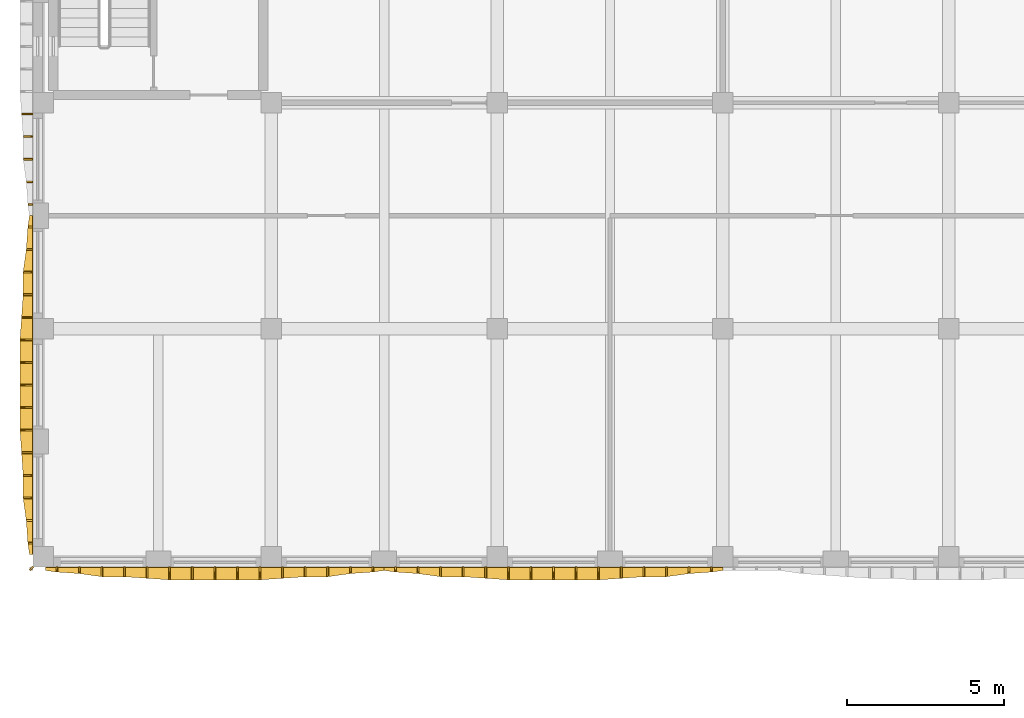
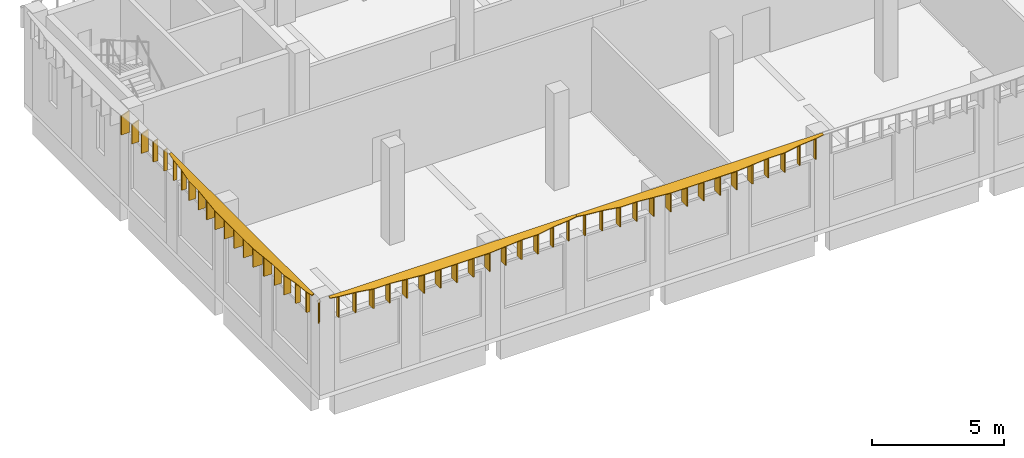
# One storey, part 37 of 54: 54 shading devices.
"""IFC4 building model written with IfcOpenShell, lengths in metres."""

from ifc_helpers import new_model, si_unit, direction, frame, origin, place, context, subcontext, project, spatial, polyline, outline, extrude, material, layer, layer_set, type_object, element, save


model = new_model("IFC4")

# Units and contexts
model_context = context("Model", 3, precision=1e-05, world=origin(), true_north=direction((0.0, 1.0)))
body_context = subcontext(model_context, "Body", "Model", "MODEL_VIEW")
ifc_project = project(units=[si_unit("LENGTHUNIT", "METRE"), si_unit("AREAUNIT", "SQUARE_METRE"), si_unit("VOLUMEUNIT", "CUBIC_METRE"), si_unit("PLANEANGLEUNIT", "RADIAN"), si_unit("MASSUNIT", "GRAM", prefix="KILO")], contexts=[model_context])

# Site, building, storey
site_placement = place(None, origin())
site = spatial("IfcSite", under=ifc_project, at=site_placement, CompositionType="ELEMENT")
building_placement = place(site_placement, origin())
building = spatial("IfcBuilding", under=site, at=building_placement, Name="Ussher Court Research Institute", CompositionType="ELEMENT")
storey_placement = place(building_placement, frame((0.0, 0.0, 14.39990234375)))
storey = spatial("IfcBuildingStorey", under=building, at=storey_placement, Name="L03", CompositionType="ELEMENT", Elevation=14.39990234375)

# Shading devices
ifc_material_1 = material(Name="Bronze anodised aluminium", Category="aluminium")
ifc_layer_1 = layer(ifc_material_1, 0.050048828125)
ifc_layer_set_1 = layer_set([ifc_layer_1], Name="Bronze anodised aluminium")
shading_device_type_1 = type_object("IfcShadingDeviceType", Name="Brim blade 150 mm deep 1000 mm high canted 20 deg dry", PredefinedType="USERDEFINED", material=ifc_layer_set_1)
for number, where, z_axis, x_axis, name in (
    (1, (24.239990234375, 68.39990234375, 3.4501953125), (0.0, 0.0, 1.0), (0.0, -1.0, 0.0), "Brim blade BS16 L03"),
    (2, (14.159912109375, 68.39990234375, 3.4501953125), (0.0, 0.0, 1.0), (0.0, -1.0, 0.0), "Brim blade BS16 L03"),
    (3, (13.43994140625, 68.39990234375, 3.4501953125), (0.0, 0.0, 1.0), (0.0, -1.0, 0.0), "Brim blade BS16 L03"),
    (4, (3.360107421875, 68.39990234375, 3.4501953125), (0.0, 0.0, 1.0), (0.0, -1.0, 0.0), "Brim blade BS16 L03"),
):
    element("IfcShadingDevice", number, at=place(storey_placement, frame(where, z_axis=z_axis, x_axis=x_axis)), inside=storey, type_object=shading_device_type_1, Name=name, ObjectType="BLADE", PredefinedType="USERDEFINED", context=body_context, shape_type="SweptSolid", body=[
        extrude(outline(polyline([(0.0, 0.0), (0.14990234375, 0.0), (0.14990234375, 0.9453125), (0.0, 1.0), (0.0, 0.0)])), frame((0.0, 0.02490234375, 0.0), z_axis=(0.0, -1.0, 0.0), x_axis=(1.0, 0.0, 0.0)), (0.0, 0.0, 1.0), 0.050048828125),
    ])
for number, where, z_axis, x_axis, name in (
    (5, (2.60009765625, 69.159912109375, 3.4501953125), (0.0, 0.0, 1.0), (-1.0, 0.0, 0.0), "Brim blade BS16 L03"),
    (6, (2.60009765625, 79.239990234375, 3.4501953125), (0.0, 0.0, 1.0), (-1.0, 0.0, 0.0), "Brim blade BS16 L03"),
    (7, (2.60009765625, 79.9599609375, 3.4501953125), (0.0, 0.0, 1.0), (-1.0, 0.0, 0.0), "Brim blade BS16 L03"),
):
    element("IfcShadingDevice", number, at=place(storey_placement, frame(where, z_axis=z_axis, x_axis=x_axis)), inside=storey, type_object=shading_device_type_1, Name=name, ObjectType="BLADE", PredefinedType="USERDEFINED", context=body_context, shape_type="SweptSolid", body=[
        extrude(outline(polyline([(0.0, 0.0), (0.150146484375, 0.0), (0.14990234375, 0.9453125), (0.0, 1.0), (0.0, 0.0)])), frame((0.0, 0.02490234375, 0.0), z_axis=(0.0, -1.0, 0.0), x_axis=(1.0, 0.0, 0.0)), (0.0, 0.0, 1.0), 0.050048828125),
    ])
ifc_material_2 = material(Name="Bronze anodised aluminium", Category="aluminium")
ifc_layer_2 = layer(ifc_material_2, 0.050048828125)
ifc_layer_set_2 = layer_set([ifc_layer_2], Name="Bronze anodised aluminium")
shading_device_type_2 = type_object("IfcShadingDeviceType", Name="Brim blade 200 mm deep 1000 mm high canted 20 deg dry", PredefinedType="USERDEFINED", material=ifc_layer_set_2)
for number, where, z_axis, x_axis, name in (
    (8, (23.52001953125, 68.39990234375, 3.4501953125), (0.0, 0.0, 1.0), (0.0, -1.0, 0.0), "Brim blade BS15 L03"),
    (9, (14.8798828125, 68.39990234375, 3.4501953125), (0.0, 0.0, 1.0), (0.0, -1.0, 0.0), "Brim blade BS15 L03"),
    (10, (12.719970703125, 68.39990234375, 3.4501953125), (0.0, 0.0, 1.0), (0.0, -1.0, 0.0), "Brim blade BS15 L03"),
    (11, (4.080078125, 68.39990234375, 3.4501953125), (0.0, 0.0, 1.0), (0.0, -1.0, 0.0), "Brim blade BS15 L03"),
):
    element("IfcShadingDevice", number, at=place(storey_placement, frame(where, z_axis=z_axis, x_axis=x_axis)), inside=storey, type_object=shading_device_type_2, Name=name, ObjectType="BLADE", PredefinedType="USERDEFINED", context=body_context, shape_type="SweptSolid", body=[
        extrude(outline(polyline([(0.0, 0.0), (0.199951171875, 0.0), (0.199951171875, 0.927001953125), (0.0, 1.0), (0.0, 0.0)])), frame((0.0, 0.02490234375, 0.0), z_axis=(0.0, -1.0, 0.0), x_axis=(1.0, 0.0, 0.0)), (0.0, 0.0, 1.0), 0.050048828125),
    ])
for number, where, z_axis, x_axis, name in (
    (12, (2.60009765625, 69.8798828125, 3.4501953125), (0.0, 0.0, 1.0), (-1.0, 0.0, 0.0), "Brim blade BS15 L03"),
    (13, (2.60009765625, 78.52001953125, 3.4501953125), (0.0, 0.0, 1.0), (-1.0, 0.0, 0.0), "Brim blade BS15 L03"),
    (14, (2.60009765625, 80.679931640625, 3.4501953125), (0.0, 0.0, 1.0), (-1.0, 0.0, 0.0), "Brim blade BS15 L03"),
):
    element("IfcShadingDevice", number, at=place(storey_placement, frame(where, z_axis=z_axis, x_axis=x_axis)), inside=storey, type_object=shading_device_type_2, Name=name, ObjectType="BLADE", PredefinedType="USERDEFINED", context=body_context, shape_type="SweptSolid", body=[
        extrude(outline(polyline([(0.0, 0.0), (0.2001953125, 0.0), (0.199951171875, 0.927001953125), (0.0, 1.0), (0.0, 0.0)])), frame((0.0, 0.02490234375, 0.0), z_axis=(0.0, -1.0, 0.0), x_axis=(1.0, 0.0, 0.0)), (0.0, 0.0, 1.0), 0.050048828125),
    ])
ifc_material_3 = material(Name="Bronze anodised aluminium", Category="aluminium")
ifc_layer_3 = layer(ifc_material_3, 0.050048828125)
ifc_layer_set_3 = layer_set([ifc_layer_3], Name="Bronze anodised aluminium")
shading_device_type_3 = type_object("IfcShadingDeviceType", Name="Brim blade 300 mm deep 1000 mm high canted 20 deg dry", PredefinedType="USERDEFINED", material=ifc_layer_set_3)
for number, where, z_axis, x_axis, name in (
    (15, (22.800048828125, 68.39990234375, 3.4501953125), (0.0, 0.0, 1.0), (0.0, -1.0, 0.0), "Brim blade BS13 L03"),
    (16, (22.080078125, 68.39990234375, 3.4501953125), (0.0, 0.0, 1.0), (0.0, -1.0, 0.0), "Brim blade BS13 L03"),
    (17, (16.320068359375, 68.39990234375, 3.4501953125), (0.0, 0.0, 1.0), (0.0, -1.0, 0.0), "Brim blade BS13 L03"),
    (18, (15.60009765625, 68.39990234375, 3.4501953125), (0.0, 0.0, 1.0), (0.0, -1.0, 0.0), "Brim blade BS13 L03"),
    (19, (12.0, 68.39990234375, 3.4501953125), (0.0, 0.0, 1.0), (0.0, -1.0, 0.0), "Brim blade BS13 L03"),
    (20, (11.280029296875, 68.39990234375, 3.4501953125), (0.0, 0.0, 1.0), (0.0, -1.0, 0.0), "Brim blade BS13 L03"),
    (21, (5.52001953125, 68.39990234375, 3.4501953125), (0.0, 0.0, 1.0), (0.0, -1.0, 0.0), "Brim blade BS13 L03"),
    (22, (4.800048828125, 68.39990234375, 3.4501953125), (0.0, 0.0, 1.0), (0.0, -1.0, 0.0), "Brim blade BS13 L03"),
):
    element("IfcShadingDevice", number, at=place(storey_placement, frame(where, z_axis=z_axis, x_axis=x_axis)), inside=storey, type_object=shading_device_type_3, Name=name, ObjectType="BLADE", PredefinedType="USERDEFINED", context=body_context, shape_type="SweptSolid", body=[
        extrude(outline(polyline([(0.0, 0.0), (0.2998046875, 0.0), (0.300048828125, 0.890625), (0.0, 1.0), (0.0, 0.0)])), frame((0.0, 0.02490234375, 0.0), z_axis=(0.0, -1.0, 0.0), x_axis=(1.0, 0.0, 0.0)), (0.0, 0.0, 1.0), 0.050048828125),
    ])
for number, where, z_axis, x_axis, name in (
    (23, (2.60009765625, 70.60009765625, 3.4501953125), (0.0, 0.0, 1.0), (-1.0, 0.0, 0.0), "Brim blade BS13 L03"),
    (24, (2.60009765625, 71.320068359375, 3.4501953125), (0.0, 0.0, 1.0), (-1.0, 0.0, 0.0), "Brim blade BS13 L03"),
    (25, (2.60009765625, 77.080078125, 3.4501953125), (0.0, 0.0, 1.0), (-1.0, 0.0, 0.0), "Brim blade BS13 L03"),
    (26, (2.60009765625, 77.800048828125, 3.4501953125), (0.0, 0.0, 1.0), (-1.0, 0.0, 0.0), "Brim blade BS13 L03"),
    (27, (2.60009765625, 81.39990234375, 3.4501953125), (0.0, 0.0, 1.0), (-1.0, 0.0, 0.0), "Brim blade BS13 L03"),
    (28, (2.60009765625, 82.1201171875, 3.4501953125), (0.0, 0.0, 1.0), (-1.0, 0.0, 0.0), "Brim blade BS13 L03"),
):
    element("IfcShadingDevice", number, at=place(storey_placement, frame(where, z_axis=z_axis, x_axis=x_axis)), inside=storey, type_object=shading_device_type_3, Name=name, ObjectType="BLADE", PredefinedType="USERDEFINED", context=body_context, shape_type="SweptSolid", body=[
        extrude(outline(polyline([(0.0, 0.0), (0.300048828125, 0.0), (0.300048828125, 0.890625), (0.0, 1.0), (0.0, 0.0)])), frame((0.0, 0.02490234375, 0.0), z_axis=(0.0, -1.0, 0.0), x_axis=(1.0, 0.0, 0.0)), (0.0, 0.0, 1.0), 0.050048828125),
    ])
ifc_material_4 = material(Name="Bronze anodised aluminium", Category="aluminium")
ifc_layer_4 = layer(ifc_material_4, 0.050048828125)
ifc_layer_set_4 = layer_set([ifc_layer_4], Name="Bronze anodised aluminium")
shading_device_type_4 = type_object("IfcShadingDeviceType", Name="Brim blade 350 mm deep 1000 mm high canted 20 deg dry", PredefinedType="USERDEFINED", material=ifc_layer_set_4)
for number, where, z_axis, x_axis, name in (
    (29, (21.360107421875, 68.39990234375, 3.4501953125), (0.0, 0.0, 1.0), (0.0, -1.0, 0.0), "Brim blade BS12 L03"),
    (30, (17.0400390625, 68.39990234375, 3.4501953125), (0.0, 0.0, 1.0), (0.0, -1.0, 0.0), "Brim blade BS12 L03"),
    (31, (10.56005859375, 68.39990234375, 3.4501953125), (0.0, 0.0, 1.0), (0.0, -1.0, 0.0), "Brim blade BS12 L03"),
    (32, (6.239990234375, 68.39990234375, 3.4501953125), (0.0, 0.0, 1.0), (0.0, -1.0, 0.0), "Brim blade BS12 L03"),
):
    element("IfcShadingDevice", number, at=place(storey_placement, frame(where, z_axis=z_axis, x_axis=x_axis)), inside=storey, type_object=shading_device_type_4, Name=name, ObjectType="BLADE", PredefinedType="USERDEFINED", context=body_context, shape_type="SweptSolid", body=[
        extrude(outline(polyline([(0.0, 0.0), (0.349853515625, 0.0), (0.35009765625, 0.87255859375), (0.0, 1.0), (0.0, 0.0)])), frame((0.0, 0.02490234375, 0.0), z_axis=(0.0, -1.0, 0.0), x_axis=(1.0, 0.0, 0.0)), (0.0, 0.0, 1.0), 0.050048828125),
    ])
for number, where, z_axis, x_axis, name in (
    (33, (2.60009765625, 72.0400390625, 3.4501953125), (0.0, 0.0, 1.0), (-1.0, 0.0, 0.0), "Brim blade BS12 L03"),
    (34, (2.60009765625, 76.360107421875, 3.4501953125), (0.0, 0.0, 1.0), (-1.0, 0.0, 0.0), "Brim blade BS12 L03"),
    (35, (2.60009765625, 82.840087890625, 3.4501953125), (0.0, 0.0, 1.0), (-1.0, 0.0, 0.0), "Brim blade BS12 L03"),
):
    element("IfcShadingDevice", number, at=place(storey_placement, frame(where, z_axis=z_axis, x_axis=x_axis)), inside=storey, type_object=shading_device_type_4, Name=name, ObjectType="BLADE", PredefinedType="USERDEFINED", context=body_context, shape_type="SweptSolid", body=[
        extrude(outline(polyline([(0.0, 0.0), (0.35009765625, 0.0), (0.35009765625, 0.87255859375), (0.0, 1.0), (0.0, 0.0)])), frame((0.0, 0.02490234375, 0.0), z_axis=(0.0, -1.0, 0.0), x_axis=(1.0, 0.0, 0.0)), (0.0, 0.0, 1.0), 0.050048828125),
    ])
ifc_material_5 = material(Name="Bronze anodised aluminium", Category="aluminium")
ifc_layer_5 = layer(ifc_material_5, 0.050048828125)
ifc_layer_set_5 = layer_set([ifc_layer_5], Name="Bronze anodised aluminium")
shading_device_type_5 = type_object("IfcShadingDeviceType", Name="Brim blade 400 mm deep 1000 mm high canted 20 deg dry", PredefinedType="USERDEFINED", material=ifc_layer_set_5)
for number, where, z_axis, x_axis, name in (
    (36, (20.639892578125, 68.39990234375, 3.4501953125), (0.0, 0.0, 1.0), (0.0, -1.0, 0.0), "Brim blade BS11 L03"),
    (37, (19.919921875, 68.39990234375, 3.4501953125), (0.0, 0.0, 1.0), (0.0, -1.0, 0.0), "Brim blade BS11 L03"),
    (38, (19.199951171875, 68.39990234375, 3.4501953125), (0.0, 0.0, 1.0), (0.0, -1.0, 0.0), "Brim blade BS11 L03"),
    (39, (18.47998046875, 68.39990234375, 3.4501953125), (0.0, 0.0, 1.0), (0.0, -1.0, 0.0), "Brim blade BS11 L03"),
    (40, (17.760009765625, 68.39990234375, 3.4501953125), (0.0, 0.0, 1.0), (0.0, -1.0, 0.0), "Brim blade BS11 L03"),
    (41, (9.840087890625, 68.39990234375, 3.4501953125), (0.0, 0.0, 1.0), (0.0, -1.0, 0.0), "Brim blade BS11 L03"),
    (42, (9.1201171875, 68.39990234375, 3.4501953125), (0.0, 0.0, 1.0), (0.0, -1.0, 0.0), "Brim blade BS11 L03"),
    (43, (8.39990234375, 68.39990234375, 3.4501953125), (0.0, 0.0, 1.0), (0.0, -1.0, 0.0), "Brim blade BS11 L03"),
    (44, (7.679931640625, 68.39990234375, 3.4501953125), (0.0, 0.0, 1.0), (0.0, -1.0, 0.0), "Brim blade BS11 L03"),
    (45, (6.9599609375, 68.39990234375, 3.4501953125), (0.0, 0.0, 1.0), (0.0, -1.0, 0.0), "Brim blade BS11 L03"),
):
    element("IfcShadingDevice", number, at=place(storey_placement, frame(where, z_axis=z_axis, x_axis=x_axis)), inside=storey, type_object=shading_device_type_5, Name=name, ObjectType="BLADE", PredefinedType="USERDEFINED", context=body_context, shape_type="SweptSolid", body=[
        extrude(outline(polyline([(0.0, 0.0), (0.39990234375, 0.0), (0.39990234375, 0.854248046875), (0.0, 1.0), (0.0, 0.0)])), frame((0.0, 0.02490234375, 0.0), z_axis=(0.0, -1.0, 0.0), x_axis=(1.0, 0.0, 0.0)), (0.0, 0.0, 1.0), 0.050048828125),
    ])
for number, where, z_axis, x_axis, name in (
    (46, (2.60009765625, 72.760009765625, 3.4501953125), (0.0, 0.0, 1.0), (-1.0, 0.0, 0.0), "Brim blade BS11 L03"),
    (47, (2.60009765625, 73.47998046875, 3.4501953125), (0.0, 0.0, 1.0), (-1.0, 0.0, 0.0), "Brim blade BS11 L03"),
    (48, (2.60009765625, 74.199951171875, 3.4501953125), (0.0, 0.0, 1.0), (-1.0, 0.0, 0.0), "Brim blade BS11 L03"),
    (49, (2.60009765625, 74.919921875, 3.4501953125), (0.0, 0.0, 1.0), (-1.0, 0.0, 0.0), "Brim blade BS11 L03"),
    (50, (2.60009765625, 75.639892578125, 3.4501953125), (0.0, 0.0, 1.0), (-1.0, 0.0, 0.0), "Brim blade BS11 L03"),
):
    element("IfcShadingDevice", number, at=place(storey_placement, frame(where, z_axis=z_axis, x_axis=x_axis)), inside=storey, type_object=shading_device_type_5, Name=name, ObjectType="BLADE", PredefinedType="USERDEFINED", context=body_context, shape_type="SweptSolid", body=[
        extrude(outline(polyline([(0.0, 0.0), (0.400146484375, 0.0), (0.39990234375, 0.854248046875), (0.0, 1.0), (0.0, 0.0)])), frame((0.0, 0.02490234375, 0.0), z_axis=(0.0, -1.0, 0.0), x_axis=(1.0, 0.0, 0.0)), (0.0, 0.0, 1.0), 0.050048828125),
    ])
ifc_material_6 = material(Name="Bronze anodised aluminium", Category="aluminium")
ifc_layer_6 = layer(ifc_material_6, 0.050048828125)
ifc_layer_set_6 = layer_set([ifc_layer_6], Name="Bronze anodised aluminium")
shading_device_type_6 = type_object("IfcShadingDeviceType", Name="Brim mitre blade 100 mm deep 1000 mm high canted 20 deg dry", PredefinedType="USERDEFINED", material=ifc_layer_set_6)
shading_device_1_placement = place(storey_placement, frame((2.60009765625, 68.39990234375, 3.4501953125), z_axis=(0.0, 0.0, 1.0), x_axis=(-0.707969631694, -0.706242876495, 0.0)))
element("IfcShadingDevice", 51, at=shading_device_1_placement, inside=storey, type_object=shading_device_type_6, Name="Brim mitre blade BS19 L03", ObjectType="BLADE", PredefinedType="USERDEFINED", context=body_context, shape_type="SweptSolid", body=[
    extrude(outline(polyline([(0.0, 0.0), (0.141357421875, 0.0), (0.141357421875, 0.927001953125), (0.0, 1.0), (0.0, 0.0)])), frame((0.0, 0.02490234375, 0.0), z_axis=(0.0, -1.0, 0.0), x_axis=(1.0, 0.0, 0.0)), (0.0, 0.0, 1.0), 0.050048828125),
])
ifc_material_7 = material(Name="Bronze anodised aluminium", Category="aluminium")
ifc_layer_7 = layer(ifc_material_7, 0.0400390625)
ifc_layer_set_7 = layer_set([ifc_layer_7], Name="Bronze anodised aluminium")
shading_device_type_7 = type_object("IfcShadingDeviceType", Name="Brim visor sheet 40 mm canted 20 deg dry", PredefinedType="USERDEFINED", material=ifc_layer_set_7)
shading_device_2_placement = place(storey_placement, frame((24.60009765625, 68.38623046875, 4.48779296875), z_axis=(0.0, -0.34247777449, 0.939525930446), x_axis=(-1.0, 0.0, 0.0)))
element("IfcShadingDevice", 52, at=shading_device_2_placement, inside=storey, type_object=shading_device_type_7, Name="Brim visor sheet BR2 L03", ObjectType="BRIM", PredefinedType="USERDEFINED", context=body_context, shape_type="SweptSolid", body=[
    extrude(outline(polyline([(0.0, 0.0), (10.800048828125, 0.0), (10.800048828125, 0.10627326512485698), (10.440185546875, 0.15956639228017316), (9.72021484375, 0.21285951943548934), (9.0, 0.31936216100820913), (8.280029296875, 0.31936216100820913), (7.56005859375, 0.37234229897774984), (6.840087890625, 0.42563542613306604), (6.1201171875, 0.42563542613306604), (5.400146484375, 0.42563542613306604), (4.68017578125, 0.42563542613306604), (3.960205078125, 0.42563542613306604), (3.239990234375, 0.37234229897774984), (2.52001953125, 0.31936216100820913), (1.800048828125, 0.31936216100820913), (1.080078125, 0.21285951943548934), (0.360107421875, 0.15956639228017316), (0.0, 0.10627326512485698), (0.0, 0.0)])), origin(), (0.0, 0.0, -1.0), 0.0400390625),
])
shading_device_3_placement = place(storey_placement, frame((13.800048828125, 68.38623046875, 4.48779296875), z_axis=(0.0, -0.342477773799, 0.939525930698), x_axis=(-1.0, 0.0, 0.0)))
element("IfcShadingDevice", 53, at=shading_device_3_placement, inside=storey, type_object=shading_device_type_7, Name="Brim visor sheet BR2 L03", ObjectType="BRIM", PredefinedType="USERDEFINED", context=body_context, shape_type="SweptSolid", body=[
    extrude(outline(polyline([(0.0, 0.0), (10.800048828125, 0.0), (10.800048828125, 0.10627326512487205), (10.43994140625, 0.1595663922801422), (9.719970703125, 0.21285951943541234), (9.0, 0.31936216100820863), (8.280029296875, 0.31936216100820863), (7.56005859375, 0.37234229897781057), (6.840087890625, 0.4256354261330807), (6.1201171875, 0.4256354261330807), (5.400146484375, 0.4256354261330807), (4.679931640625, 0.4256354261330807), (3.9599609375, 0.4256354261330807), (3.239990234375, 0.37234229897781057), (2.52001953125, 0.31936216100820863), (1.800048828125, 0.31936216100820863), (1.080078125, 0.21285951943541234), (0.360107421875, 0.1595663922801422), (0.0, 0.10627326512487205), (0.0, 0.0)])), origin(), (0.0, 0.0, -1.0), 0.0400390625),
])
shading_device_4_placement = place(storey_placement, frame((2.586181640625, 68.800048828125, 4.48779296875), z_axis=(-0.342542327923, 0.0, 0.939502396794), x_axis=(0.0, 1.0, 0.0)))
element("IfcShadingDevice", 54, at=shading_device_4_placement, inside=storey, type_object=shading_device_type_7, Name="Brim visor sheet BR2 L03", ObjectType="BRIM", PredefinedType="USERDEFINED", context=body_context, shape_type="SweptSolid", body=[
    extrude(outline(polyline([(0.0, 0.0), (10.800048828125, 0.0), (10.800048828125, 0.10627326346414724), (10.43994140625, 0.159566394796406), (9.719970703125, 0.2128595261286647), (9.0, 0.319132789592812), (8.280029296875, 0.319132789592812), (7.56005859375, 0.37234229242704264), (6.83984375, 0.4256354237593014), (6.119873046875, 0.4256354237593014), (5.39990234375, 0.4256354237593014), (4.679931640625, 0.4256354237593014), (3.9599609375, 0.4256354237593014), (3.239990234375, 0.37234229242704264), (2.52001953125, 0.319132789592812), (1.800048828125, 0.319132789592812), (1.079833984375, 0.2128595261286647), (0.35986328125, 0.159566394796406), (0.0, 0.10627326346414724), (0.0, 0.0)])), origin(), (0.0, 0.0, -1.0), 0.0400390625),
])

save(model, "model.ifc")
